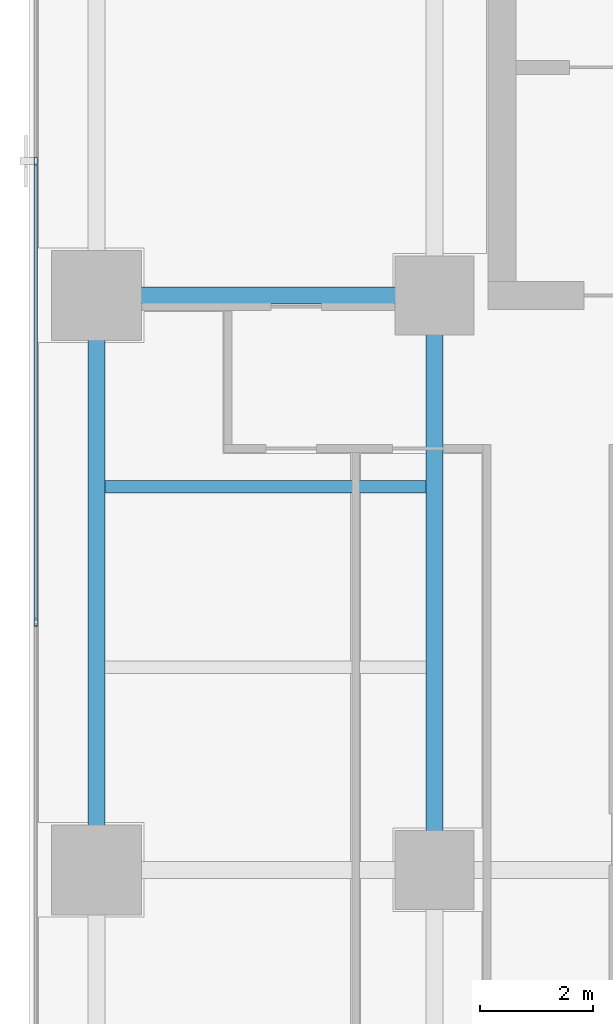
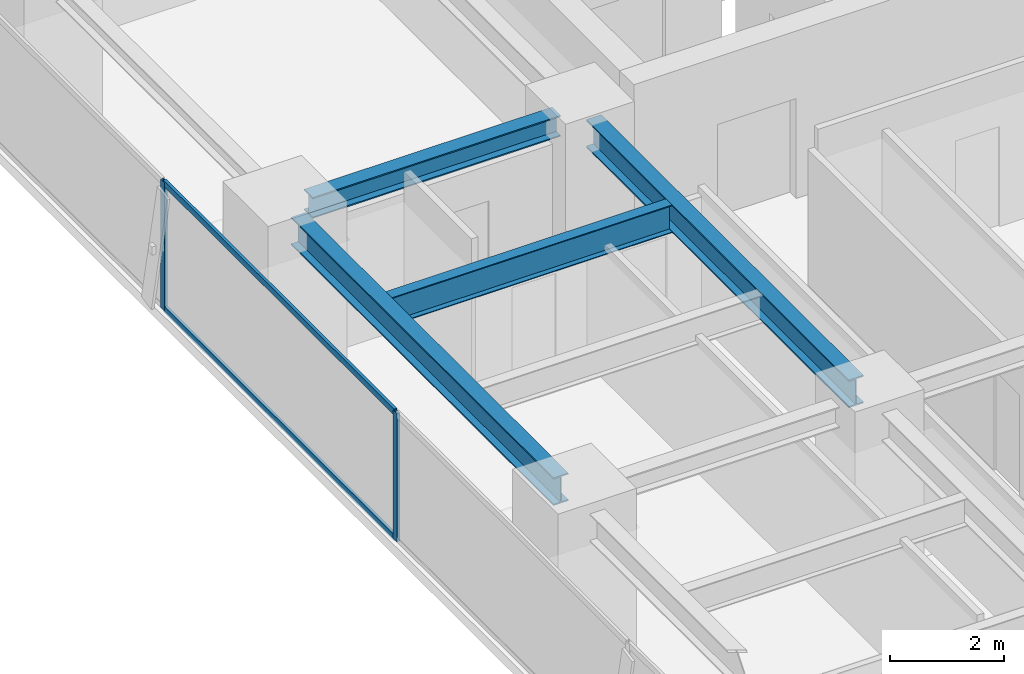
# One storey, part 8 of 30: 4 beams, 4 members, 1 element without a shape of its own.
"""IFC4 building model written with IfcOpenShell, lengths in metres."""

from ifc_helpers import new_model, si_unit, direction, frame, origin, origin_2d, place, context, subcontext, project, spatial, hollow_rectangle, i_section, extrude, source, transform, mapped, material, layer, layer_set, material_profile, profile_set, type_object, element, aggregate, save


model = new_model("IFC4")

# Units and contexts
model_context = context("Model", 3, precision=1e-05, world=origin(), true_north=direction((0.0, 1.0)))
body_context = subcontext(model_context, "Body", "Model", "MODEL_VIEW")
ifc_project = project(units=[si_unit("LENGTHUNIT", "METRE"), si_unit("AREAUNIT", "SQUARE_METRE"), si_unit("VOLUMEUNIT", "CUBIC_METRE"), si_unit("PLANEANGLEUNIT", "RADIAN"), si_unit("MASSUNIT", "GRAM", prefix="KILO")], contexts=[model_context])

# Site, building, storey
site_placement = place(None, origin())
site = spatial("IfcSite", under=ifc_project, at=site_placement, CompositionType="ELEMENT")
building_placement = place(site_placement, origin())
building = spatial("IfcBuilding", under=site, at=building_placement, Name="Sumidabori Civic Tower", CompositionType="ELEMENT")
storey_placement = place(building_placement, frame((0.0, 0.0, 200.0)))
storey = spatial("IfcBuildingStorey", under=building, at=storey_placement, Name="L51", CompositionType="ELEMENT", Elevation=200.0)

# Beams
ifc_material_1 = material(Name="Steel SN490", Category="steel")
ifc_material_profile_1 = material_profile(ifc_material_1, i_section(OverallWidth=0.300048828125, OverallDepth=0.60009765625, WebThickness=0.015380859375, FlangeThickness=0.030029296875, at=origin_2d()), Name="HE 600 B")
ifc_profile_set_1 = profile_set([ifc_material_profile_1], Name="Steel SN490")
beam_type_1 = type_object("IfcBeamType", Name="BM-GIRD-600", PredefinedType="BEAM", material=ifc_profile_set_1)
shared_shape_1 = source(origin(), body_context, "Body", "SweptSolid", [
    extrude(i_section(OverallWidth=0.300048828125, OverallDepth=0.60009765625, WebThickness=0.015380859375, FlangeThickness=0.030029296875, at=origin_2d()), origin(), (0.0, 0.0, 1.0), 9.239990234375),
])
for number, where, z_axis, x_axis, name in (
    (1, (-22.800048828125, 0.47998046875, 3.080078125), (0.0, 1.0, 0.0), (-1.0, 0.0, 0.0), "Primary Girder L51 GY-12"),
    (2, (-16.800048828125, 0.47998046875, 3.080078125), (0.0, 1.0, 0.0), (-1.0, 0.0, 0.0), "Primary Girder L51 GY-15"),
):
    element("IfcBeam", number, at=place(storey_placement, frame(where, z_axis=z_axis, x_axis=x_axis)), inside=storey, type_object=beam_type_1, Name=name, PredefinedType="BEAM", context=body_context, shape_type="MappedRepresentation", body=[
        mapped(shared_shape_1, transform((0.0, 0.0, 0.0), x_axis=(1.0, 0.0, 0.0), y_axis=(0.0, 1.0, 0.0), z_axis=(0.0, 0.0, 1.0), scale=1.0)),
    ])
ifc_material_profile_2 = material_profile(ifc_material_1, i_section(OverallWidth=0.219970703125, OverallDepth=0.60009765625, WebThickness=0.011962890625, FlangeThickness=0.01904296875, at=origin_2d()), Name="IPE 600")
ifc_profile_set_2 = profile_set([ifc_material_profile_2], Name="Steel SN490")
beam_type_2 = type_object("IfcBeamType", Name="BM-JST-600", PredefinedType="JOIST", material=ifc_profile_set_2)
shared_shape_2 = source(origin(), body_context, "Body", "SweptSolid", [
    extrude(i_section(OverallWidth=0.219970703125, OverallDepth=0.60009765625, WebThickness=0.011962890625, FlangeThickness=0.01904296875, at=origin_2d()), origin(), (0.0, 0.0, 1.0), 5.699951171875),
])
beam_1_placement = place(storey_placement, frame((-22.64990234375, 6.800048828125, 3.080078125), z_axis=(1.0, 0.0, 0.0), x_axis=(0.0, 1.0, 0.0)))
element("IfcBeam", 3, at=beam_1_placement, inside=storey, type_object=beam_type_2, Name="Outer Bay Floor Joist L51 JSTO-31", PredefinedType="JOIST", context=body_context, shape_type="MappedRepresentation", body=[
    mapped(shared_shape_2, transform((0.0, 0.0, 0.0), x_axis=(1.0, 0.0, 0.0), y_axis=(0.0, 1.0, 0.0), z_axis=(0.0, 0.0, 1.0), scale=1.0)),
])
ifc_material_profile_3 = material_profile(ifc_material_1, i_section(OverallWidth=0.300048828125, OverallDepth=0.449951171875, WebThickness=0.013916015625, FlangeThickness=0.02587890625, at=origin_2d()), Name="HE 450 B")
ifc_profile_set_3 = profile_set([ifc_material_profile_3], Name="Steel SN490")
beam_type_3 = type_object("IfcBeamType", Name="BM-GIRD-450", PredefinedType="BEAM", material=ifc_profile_set_3)
shared_shape_3 = source(origin(), body_context, "Body", "SweptSolid", [
    extrude(i_section(OverallWidth=0.300048828125, OverallDepth=0.449951171875, WebThickness=0.013916015625, FlangeThickness=0.02587890625, at=origin_2d()), origin(), (0.0, 0.0, 1.0), 5.0400390625),
])
beam_2_placement = place(storey_placement, frame((-22.320068359375, 10.199951171875, 3.155029296875), z_axis=(1.0, 0.0, 0.0), x_axis=(0.0, 1.0, 0.0)))
element("IfcBeam", 4, at=beam_2_placement, inside=storey, type_object=beam_type_3, Name="Primary Girder L51 GX-09", PredefinedType="BEAM", context=body_context, shape_type="MappedRepresentation", body=[
    mapped(shared_shape_3, transform((0.0, 0.0, 0.0), x_axis=(1.0, 0.0, 0.0), y_axis=(0.0, 1.0, 0.0), z_axis=(0.0, 0.0, 1.0), scale=1.0)),
])

# Curtain wall, members
ifc_material_2 = material(Name="Anodised Bronze Aluminium AW-6063-T6", Category="aluminium")
ifc_layer = layer(ifc_material_2, 0.179931640625, Name="Anodised Bronze Aluminium AW-6063-T6")
ifc_layer_set = layer_set([ifc_layer], Name="Anodised Bronze Aluminium AW-6063-T6")
curtain_wall_type = type_object("IfcCurtainWallType", Name="CW-SYS-5", PredefinedType="NOTDEFINED", material=ifc_layer_set)
curtain_wall_placement = place(storey_placement, origin())
curtain_wall = element("IfcCurtainWall", 5, at=curtain_wall_placement, inside=storey, type_object=curtain_wall_type, Name="Curtain Wall CW:L51:R16", PredefinedType="NOTDEFINED")
ifc_material_profile_4 = material_profile(ifc_material_2, hollow_rectangle(XDim=0.06005859375, YDim=0.139892578125, WallThickness=0.0048828125, at=origin_2d()), Name="ALU MULLION 140x60")
ifc_profile_set_4 = profile_set([ifc_material_profile_4], Name="Anodised Bronze Aluminium AW-6063-T6")
member_type_1 = type_object("IfcMemberType", Name="CW-MUL-140", PredefinedType="MULLION", material=ifc_profile_set_4)
shared_shape_4 = source(origin(), body_context, "Body", "SweptSolid", [
    extrude(hollow_rectangle(XDim=0.06005859375, YDim=0.139892578125, WallThickness=0.0048828125, at=origin_2d()), origin(), (0.0, 0.0, 1.0), 2.760009765625),
])
member_1_placement = place(storey_placement, frame((-23.8798828125, 12.5849609375, 0.0), z_axis=(0.0, 0.0, 1.0), x_axis=(1.0, 0.0, 0.0)))
member_1 = element("IfcMember", 6, at=member_1_placement, type_object=member_type_1, Name="CW-5 mullion 2", PredefinedType="MULLION", context=body_context, shape_type="MappedRepresentation", body=[
    mapped(shared_shape_4, transform((0.0, 0.0, 0.0), x_axis=(1.0, 0.0, 0.0), y_axis=(0.0, 1.0, 0.0), z_axis=(0.0, 0.0, 1.0), scale=1.0)),
])
member_2_placement = place(storey_placement, frame((-23.8798828125, 4.39990234375, 0.0), z_axis=(0.0, 0.0, 1.0), x_axis=(1.0, 0.0, 0.0)))
member_2 = element("IfcMember", 7, at=member_2_placement, type_object=member_type_1, Name="CW-5 mullion 3", PredefinedType="MULLION", context=body_context, shape_type="MappedRepresentation", body=[
    mapped(shared_shape_4, transform((0.0, 0.0, 0.0), x_axis=(1.0, 0.0, 0.0), y_axis=(0.0, 1.0, 0.0), z_axis=(0.0, 0.0, 1.0), scale=1.0)),
])
ifc_material_profile_5 = material_profile(ifc_material_2, hollow_rectangle(XDim=0.06005859375, YDim=0.1298828125, WallThickness=0.0048828125, at=origin_2d()), Name="ALU TRANSOM 130x60")
ifc_profile_set_5 = profile_set([ifc_material_profile_5], Name="Anodised Bronze Aluminium AW-6063-T6")
member_type_2 = type_object("IfcMemberType", Name="CW-TRN-130", PredefinedType="USERDEFINED", material=ifc_profile_set_5)
shared_shape_5 = source(origin(), body_context, "Body", "SweptSolid", [
    extrude(hollow_rectangle(XDim=0.06005859375, YDim=0.1298828125, WallThickness=0.0048828125, at=origin_2d()), origin(), (0.0, 0.0, 1.0), 8.125),
])
member_3_placement = place(storey_placement, frame((-23.8798828125, 12.554931640625, 0.030029296875), z_axis=(0.0, -1.0, 0.0), x_axis=(1.0, 0.0, 0.0)))
member_3 = element("IfcMember", 8, at=member_3_placement, type_object=member_type_2, Name="CW-5 transom 2.1", ObjectType="TRANSOM", PredefinedType="USERDEFINED", context=body_context, shape_type="MappedRepresentation", body=[
    mapped(shared_shape_5, transform((0.0, 0.0, 0.0), x_axis=(1.0, 0.0, 0.0), y_axis=(0.0, 1.0, 0.0), z_axis=(0.0, 0.0, 1.0), scale=1.0)),
])
member_4_placement = place(storey_placement, frame((-23.8798828125, 12.554931640625, 2.72998046875), z_axis=(0.0, -1.0, 0.0), x_axis=(1.0, 0.0, 0.0)))
member_4 = element("IfcMember", 9, at=member_4_placement, type_object=member_type_2, Name="CW-5 transom 2.2", ObjectType="TRANSOM", PredefinedType="USERDEFINED", context=body_context, shape_type="MappedRepresentation", body=[
    mapped(shared_shape_5, transform((0.0, 0.0, 0.0), x_axis=(1.0, 0.0, 0.0), y_axis=(0.0, 1.0, 0.0), z_axis=(0.0, 0.0, 1.0), scale=1.0)),
])
aggregate(curtain_wall, [member_1, member_2, member_3, member_4])

save(model, "model.ifc")
